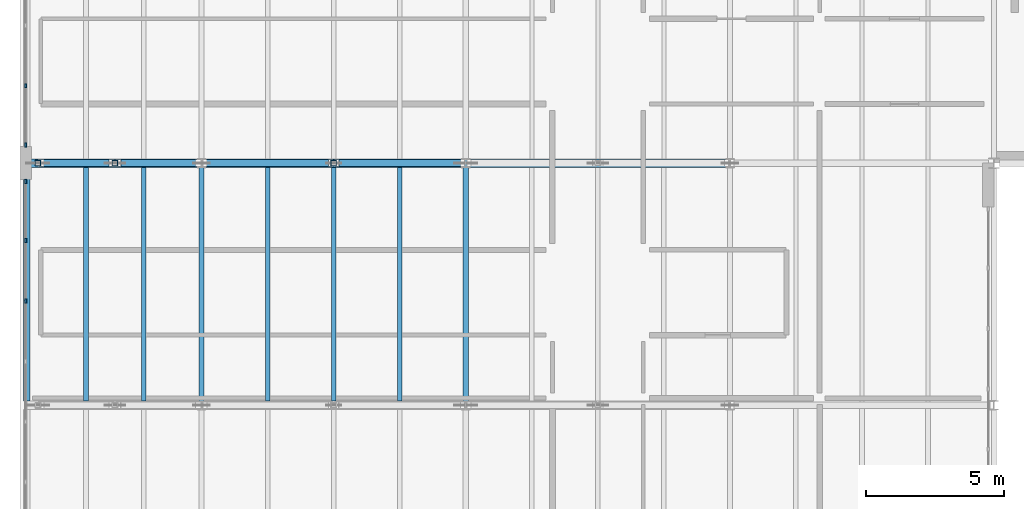
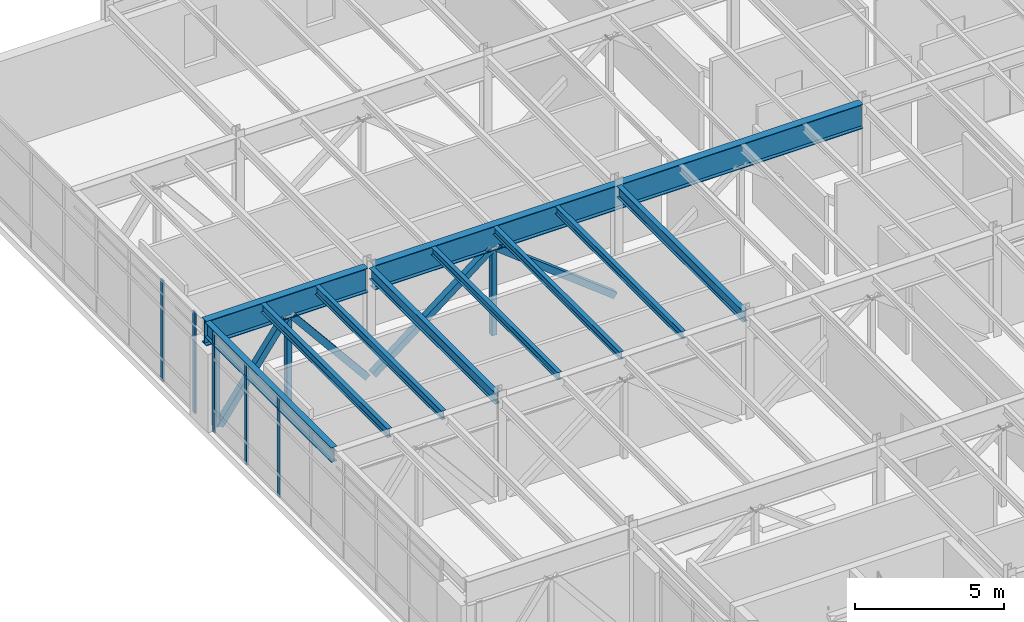
# One storey, part 31 of 88: 12 members, 10 beams, 2 elements without a shape of their own.
"""IFC4 building model written with IfcOpenShell, lengths in metres."""

import ifcopenshell
import ifcopenshell.guid

model = None  # the IFC model being written
_history = None  # IfcOwnerHistory: only IFC2X3 demands one
_inside = {}  # id of a spatial element -> (the spatial element, [elements in it])
_under = {}  # id of a project, library or spatial element -> (it, [spatial elements below it])
_declared = {}  # id of a project -> (the project, [libraries it declares])
_typed = {}  # id of a type object -> (the type object, [elements of that type])
_made_of = {}  # id of a material, layer set ... -> (it, [elements and type objects made of it])


def new_model(schema):
    """Start an empty IFC model of exactly this schema.

    Asked for "IFC4X3", IfcOpenShell would pick the latest addendum, in which some entities
    have other attributes; the version numbers below select the first issue.
    IFC2X3 requires an IfcOwnerHistory on every rooted entity: one is made here for all.
    """
    global model, _history
    if schema == "IFC4X3":
        model = ifcopenshell.file(schema_version=(4, 3, 0, 0))
    else:
        model = ifcopenshell.file(schema=schema)
    _inside.clear()
    _under.clear()
    _declared.clear()
    _typed.clear()
    _made_of.clear()
    _history = None
    if model.schema == "IFC2X3":
        org = make("IfcOrganization", Name="unknown")
        user = make(
            "IfcPersonAndOrganization",
            ThePerson=make("IfcPerson", FamilyName="unknown"),
            TheOrganization=org,
        )
        app = make(
            "IfcApplication",
            ApplicationDeveloper=org,
            Version="unknown",
            ApplicationFullName="unknown",
            ApplicationIdentifier="unknown",
        )
        _history = make(
            "IfcOwnerHistory",
            OwningUser=user,
            OwningApplication=app,
            ChangeAction="ADDED",
            CreationDate=0,
        )
    return model


def make(cls, **values):
    """One entity of the class cls with the attributes given. An attribute that is None is left unset."""
    return model.create_entity(
        cls, **{name: value for name, value in values.items() if value is not None}
    )


def rooted(cls, **values):
    """An entity with a GlobalId (a new one), such as an element, a storey or a relation."""
    return make(cls, GlobalId=ifcopenshell.guid.new(), OwnerHistory=_history, **values)


def si_unit(unit_type, name, prefix=None):
    """IfcSIUnit, for example si_unit("LENGTHUNIT", "METRE", prefix="MILLI")."""
    return make("IfcSIUnit", UnitType=unit_type, Prefix=prefix, Name=name)


def assignment(units):
    """IfcUnitAssignment: the units of a project."""
    return None if units is None else make("IfcUnitAssignment", Units=units)


def point(xyz):
    """IfcCartesianPoint."""
    return None if xyz is None else make("IfcCartesianPoint", Coordinates=xyz)


def direction(xyz):
    """IfcDirection."""
    return None if xyz is None else make("IfcDirection", DirectionRatios=xyz)


def frame(location, z_axis=None, x_axis=None):
    """IfcAxis2Placement3D, a coordinate frame: its origin and axes. An axis left out is left unset."""
    return make(
        "IfcAxis2Placement3D",
        Location=point(location),
        Axis=direction(z_axis),
        RefDirection=direction(x_axis),
    )


def frame_2d(location, x_axis=None):
    """IfcAxis2Placement2D, a coordinate frame in the plane: its origin and x axis."""
    return make(
        "IfcAxis2Placement2D", Location=point(location), RefDirection=direction(x_axis)
    )


def origin():
    """The frame at (0, 0, 0) with its axes left unset."""
    return frame((0.0, 0.0, 0.0))


def origin_2d():
    """The frame at (0, 0) in the plane with its x axis left unset."""
    return frame_2d((0.0, 0.0))


def place(relative_to, where):
    """IfcLocalPlacement: puts the frame where relative to a parent placement (None: the world)."""
    return make(
        "IfcLocalPlacement", PlacementRelTo=relative_to, RelativePlacement=where
    )


def context(
    kind, dimensions, precision=None, world=None, true_north=None, identifier=None
):
    """IfcGeometricRepresentationContext, for example the 3D "Model" context."""
    return make(
        "IfcGeometricRepresentationContext",
        ContextIdentifier=identifier,
        ContextType=kind,
        CoordinateSpaceDimension=dimensions,
        Precision=precision,
        WorldCoordinateSystem=world,
        TrueNorth=true_north,
    )


def subcontext(parent, identifier, kind, view, scale=None):
    """IfcGeometricRepresentationSubContext, for example "Body" below "Model"."""
    return make(
        "IfcGeometricRepresentationSubContext",
        ContextIdentifier=identifier,
        ContextType=kind,
        ParentContext=parent,
        TargetScale=scale,
        TargetView=view,
    )


def project(units=None, contexts=None):
    """IfcProject with its units and contexts."""
    return rooted(
        "IfcProject",
        Name="project",
        RepresentationContexts=contexts,
        UnitsInContext=assignment(units),
    )


def spatial(cls, under=None, at=None, **own):
    """A site, building, storey or space (cls), placed at a placement, below another one or the project."""
    s = rooted(cls, ObjectPlacement=at, **own)
    if under is not None:
        _under.setdefault(under.id(), (under, []))[1].append(s)
    return s


def profile(cls, at=None, kind="AREA", **sizes):
    """A parametric profile (cls). Its sizes go by their IFC names, for example OverallWidth=200.0."""
    return make(cls, ProfileType=kind, Position=at, **sizes)


def rectangle(**sizes):
    """IfcRectangleProfileDef."""
    return profile("IfcRectangleProfileDef", **sizes)


def hollow_rectangle(**sizes):
    """IfcRectangleHollowProfileDef."""
    return profile("IfcRectangleHollowProfileDef", **sizes)


def i_section(**sizes):
    """IfcIShapeProfileDef."""
    return profile("IfcIShapeProfileDef", **sizes)


def extrude(swept, where, along, depth):
    """IfcExtrudedAreaSolid: the profile swept, set in the frame where, extruded along a direction by depth."""
    return make(
        "IfcExtrudedAreaSolid",
        SweptArea=swept,
        Position=where,
        ExtrudedDirection=direction(along),
        Depth=depth,
    )


def shape(context_of_items, identifier, shape_type, items):
    """IfcShapeRepresentation: the items that make up one representation, for example the "Body"."""
    return make(
        "IfcShapeRepresentation",
        ContextOfItems=context_of_items,
        RepresentationIdentifier=identifier,
        RepresentationType=shape_type,
        Items=items,
    )


def material(Name=None, Category=None):
    """IfcMaterial."""
    return make("IfcMaterial", Name=Name, Category=Category)


def material_profile(
    of_material, cross_section, Name=None, Category=None, Priority=None
):
    """IfcMaterialProfile: a cross section and its material."""
    return make(
        "IfcMaterialProfile",
        Name=Name,
        Material=of_material,
        Profile=cross_section,
        Priority=Priority,
        Category=Category,
    )


def profile_set(profiles, Name=None, composite=None):
    """IfcMaterialProfileSet."""
    return make(
        "IfcMaterialProfileSet",
        Name=Name,
        MaterialProfiles=profiles,
        CompositeProfile=composite,
    )


def made_of(thing, what):
    """Note that an element or type object is made of a material, layer set ...; save() writes the relation."""
    if what is not None:
        _made_of.setdefault(what.id(), (what, []))[1].append(thing)
    return thing


def type_object(cls, material=None, **own):
    """A type object (cls), such as IfcWallType, which elements share."""
    return made_of(rooted(cls, **own), material)


def element(
    cls,
    number,
    at=None,
    inside=None,
    cuts=None,
    type_object=None,
    material=None,
    context=None,
    identifier="Body",
    shape_type=None,
    held_by="IfcProductDefinitionShape",
    body=None,
    shapes=None,
    **own,
):
    """One element of the class cls, such as IfcWall. Its Tag is "e" and its number.

    at: its placement. inside: the storey or other place that contains it. cuts: it is an
    opening in that element (IfcRelVoidsElement). A single representation is given by context,
    identifier, shape_type and body (its items); several are given by shapes. held_by: the class
    of the entity that holds the representations. save() writes the other relations.
    """
    e = rooted(cls, Tag="e%d" % number, ObjectPlacement=at, **own)
    if body is not None:
        shapes = [shape(context, identifier, shape_type, body)]
    if shapes is not None:
        e.Representation = make(held_by, Representations=shapes)
    if inside is not None:
        _inside.setdefault(inside.id(), (inside, []))[1].append(e)
    if cuts is not None:
        rooted(
            "IfcRelVoidsElement", RelatingBuildingElement=cuts, RelatedOpeningElement=e
        )
    if type_object is not None:
        _typed.setdefault(type_object.id(), (type_object, []))[1].append(e)
    return made_of(e, material)


def aggregate(whole, parts):
    """IfcRelAggregates: a whole, such as a stair, and the parts it consists of."""
    return rooted("IfcRelAggregates", RelatingObject=whole, RelatedObjects=parts)


def save(model, path):
    """Write the relations noted so far, then the file.

    IfcRelAggregates (storeys below a building ...), IfcRelContainedInSpatialStructure (elements
    in a storey), IfcRelDefinesByType, IfcRelAssociatesMaterial and IfcRelDeclares: one each for
    every whole, place, type object, material and project.
    """
    for whole, parts in _under.values():
        aggregate(whole, parts)
    for where, things in _inside.values():
        rooted(
            "IfcRelContainedInSpatialStructure",
            RelatedElements=things,
            RelatingStructure=where,
        )
    for kind, things in _typed.values():
        rooted("IfcRelDefinesByType", RelatedObjects=things, RelatingType=kind)
    for what, things in _made_of.values():
        rooted("IfcRelAssociatesMaterial", RelatedObjects=things, RelatingMaterial=what)
    for by, libraries in _declared.values():
        rooted("IfcRelDeclares", RelatingContext=by, RelatedDefinitions=libraries)
    model.write(path)


model = new_model("IFC4")

# Units and contexts
model_context = context("Model", 3, precision=1e-05, world=origin(), true_north=direction((0.0, 1.0)))
body_context = subcontext(model_context, "Body", "Model", "MODEL_VIEW")
ifc_project = project(units=[si_unit("LENGTHUNIT", "METRE"), si_unit("AREAUNIT", "SQUARE_METRE"), si_unit("VOLUMEUNIT", "CUBIC_METRE"), si_unit("PLANEANGLEUNIT", "RADIAN"), si_unit("MASSUNIT", "GRAM", prefix="KILO")], contexts=[model_context])

# Site, building, storey
site_placement = place(None, origin())
site = spatial("IfcSite", under=ifc_project, at=site_placement, CompositionType="ELEMENT")
building_placement = place(site_placement, origin())
building = spatial("IfcBuilding", under=site, at=building_placement, Name="Sarnbrook Museum", CompositionType="ELEMENT")
storey_placement = place(building_placement, frame((0.0, 0.0, 10.10009765625)))
storey = spatial("IfcBuildingStorey", under=building, at=storey_placement, Name="L02", CompositionType="ELEMENT", Elevation=10.10009765625)

# Beams
ifc_material_1 = material(Name="Structural Steel Grade 300PLUS (AS/NZS 3679.1, fy = 280 MPa for 17 < t <= 40 mm, 300 MPa for t <= 17 mm)", Category="steel")
ifc_material_profile_1 = material_profile(ifc_material_1, i_section(OverallWidth=0.18994140625, OverallDepth=0.45703125, WebThickness=0.009033203125, FlangeThickness=0.014404296875, FilletRadius=0.011474609375, at=origin_2d()), Name="460UB74.6")
ifc_profile_set_1 = profile_set([ifc_material_profile_1], Name="Structural Steel Grade 300PLUS (AS/NZS 3679.1, fy = 280 MPa for 17 < t <= 40 mm, 300 MPa for t <= 17 mm)")
beam_type_1 = type_object("IfcBeamType", Name="BM-UB460", PredefinedType="BEAM", material=ifc_profile_set_1)
for number, where, z_axis, x_axis, name in (
    (1, (13.60009765625, 65.763427734375, 3.991455078125), (0.0, 1.0, 0.0), (-1.0, 0.0, 0.0), "Girder 2:H-J L02"),
    (2, (23.199951171875, 65.763427734375, 3.991455078125), (0.0, 1.0, 0.0), (-1.0, 0.0, 0.0), "Girder 3:H-J L02"),
):
    element("IfcBeam", number, at=place(storey_placement, frame(where, z_axis=z_axis, x_axis=x_axis)), inside=storey, type_object=beam_type_1, Name=name, PredefinedType="BEAM", context=body_context, shape_type="SweptSolid", body=[
        extrude(i_section(OverallWidth=0.18994140625, OverallDepth=0.45703125, WebThickness=0.009033203125, FlangeThickness=0.014404296875, FilletRadius=0.011474609375, at=origin_2d()), origin(), (0.0, 0.0, 1.0), 8.47314453125),
    ])
ifc_material_profile_2 = material_profile(ifc_material_1, i_section(OverallWidth=0.22802734375, OverallDepth=0.60693359375, WebThickness=0.01123046875, FlangeThickness=0.017333984375, FilletRadius=0.013916015625, at=origin_2d()), Name="610UB113")
ifc_profile_set_2 = profile_set([ifc_material_profile_2], Name="Structural Steel Grade 300PLUS (AS/NZS 3679.1, fy = 280 MPa for 17 < t <= 40 mm, 300 MPa for t <= 17 mm)")
beam_type_2 = type_object("IfcBeamType", Name="BM-UB610", PredefinedType="BEAM", material=ifc_profile_set_2)
beam_1_placement = place(storey_placement, frame((7.25, 65.75, 3.91650390625), z_axis=(0.0, 1.0, 0.0), x_axis=(-1.0, 0.0, 0.0)))
element("IfcBeam", 3, at=beam_1_placement, inside=storey, type_object=beam_type_2, Name="Cantilever Gallery Joist L02 X=7.25", PredefinedType="BEAM", context=body_context, shape_type="SweptSolid", body=[
    extrude(i_section(OverallWidth=0.22802734375, OverallDepth=0.60693359375, WebThickness=0.01123046875, FlangeThickness=0.017333984375, FilletRadius=0.013916015625, at=origin_2d()), origin(), (0.0, 0.0, 1.0), 8.5),
])

# Members
ifc_material_2 = material(Name="Structural Steel Hollow Section Grade C350L0 (AS/NZS 1163, fy = 350 MPa)", Category="steel")
ifc_material_profile_3 = material_profile(ifc_material_2, hollow_rectangle(XDim=0.199951171875, YDim=0.199951171875, WallThickness=0.010009765625, at=origin_2d()), Name="200x200x10.0SHS")
ifc_profile_set_3 = profile_set([ifc_material_profile_3], Name="Structural Steel Hollow Section Grade C350L0 (AS/NZS 1163, fy = 350 MPa)")
member_type_1 = type_object("IfcMemberType", Name="CH-SHS200", PredefinedType="CHORD", material=ifc_profile_set_3)
for number, where, z_axis, x_axis, name in (
    (4, (18.39990234375, 74.39990234375, -0.300048828125), (0.0, 0.0, 1.0), (1.0, 0.0, 0.0), "Transfer Truss TT3 Web Post 3"),
    (5, (10.449951171875, 74.39990234375, -0.300048828125), (0.0, 0.0, 1.0), (1.0, 0.0, 0.0), "Transfer Truss TT3 Web Post 5"),
    (6, (7.64990234375, 74.39990234375, -0.300048828125), (0.0, 0.0, 1.0), (1.0, 0.0, 0.0), "Transfer Truss TT3 Web Post 6"),
):
    element("IfcMember", number, at=place(storey_placement, frame(where, z_axis=z_axis, x_axis=x_axis)), inside=storey, type_object=member_type_1, Name=name, PredefinedType="CHORD", context=body_context, shape_type="SweptSolid", body=[
        extrude(hollow_rectangle(XDim=0.199951171875, YDim=0.199951171875, WallThickness=0.010009765625, at=origin_2d()), origin(), (0.0, 0.0, 1.0), 3.5400390625),
    ])

# Curtain wall, members
ifc_material_3 = material(Name="Thermally Broken Anodised Aluminium 6063-T6", Category="aluminium")
curtain_wall_type = type_object("IfcCurtainWallType", Name="CurtainWall_GalleryRibbon", PredefinedType="NOTDEFINED", material=ifc_material_3)
curtain_wall_1_placement = place(storey_placement, origin())
curtain_wall_1 = element("IfcCurtainWall", 7, at=curtain_wall_1_placement, inside=storey, type_object=curtain_wall_type, Name="Gallery Ribbon Curtain Wall L02-8.1", PredefinedType="NOTDEFINED")
ifc_material_profile_4 = material_profile(ifc_material_3, rectangle(XDim=0.06005859375, YDim=0.159912109375, at=origin_2d()), Name="ALU MULLION 60x160")
ifc_profile_set_4 = profile_set([ifc_material_profile_4], Name="Thermally Broken Anodised Aluminium 6063-T6")
member_type_2 = type_object("IfcMemberType", Name="CW_Mullion_150x65", PredefinedType="MULLION", material=ifc_profile_set_4)
member_1_placement = place(storey_placement, frame((7.2099609375, 77.21435546875, 0.0), z_axis=(0.0, 0.0, 1.0), x_axis=(1.0, 0.0, 0.0)))
member_1 = element("IfcMember", 8, at=member_1_placement, type_object=member_type_2, Name="Gallery Ribbon Curtain Wall L02-8.1 Mullion 7", PredefinedType="MULLION", context=body_context, shape_type="SweptSolid", body=[
    extrude(rectangle(XDim=0.06005859375, YDim=0.159912109375, at=origin_2d()), origin(), (0.0, 0.0, 1.0), 4.159912109375),
])
member_2_placement = place(storey_placement, frame((7.2099609375, 75.06005859375, 0.0), z_axis=(0.0, 0.0, 1.0), x_axis=(1.0, 0.0, 0.0)))
member_2 = element("IfcMember", 9, at=member_2_placement, type_object=member_type_2, Name="Gallery Ribbon Curtain Wall L02-8.1 Mullion 8", PredefinedType="MULLION", context=body_context, shape_type="SweptSolid", body=[
    extrude(rectangle(XDim=0.06005859375, YDim=0.159912109375, at=origin_2d()), origin(), (0.0, 0.0, 1.0), 4.159912109375),
])
aggregate(curtain_wall_1, [member_1, member_2])

curtain_wall_2_placement = place(storey_placement, origin())
curtain_wall_2 = element("IfcCurtainWall", 10, at=curtain_wall_2_placement, inside=storey, type_object=curtain_wall_type, Name="Gallery Ribbon Curtain Wall L02-8.2", PredefinedType="NOTDEFINED")
member_3_placement = place(storey_placement, frame((7.2099609375, 73.739990234375, 0.0), z_axis=(0.0, 0.0, 1.0), x_axis=(1.0, 0.0, 0.0)))
member_3 = element("IfcMember", 11, at=member_3_placement, type_object=member_type_2, Name="Gallery Ribbon Curtain Wall L02-8.2 Mullion 1", PredefinedType="MULLION", context=body_context, shape_type="SweptSolid", body=[
    extrude(rectangle(XDim=0.06005859375, YDim=0.159912109375, at=origin_2d()), origin(), (0.0, 0.0, 1.0), 4.159912109375),
])
member_4_placement = place(storey_placement, frame((7.2099609375, 71.585693359375, 0.0), z_axis=(0.0, 0.0, 1.0), x_axis=(1.0, 0.0, 0.0)))
member_4 = element("IfcMember", 12, at=member_4_placement, type_object=member_type_2, Name="Gallery Ribbon Curtain Wall L02-8.2 Mullion 2", PredefinedType="MULLION", context=body_context, shape_type="SweptSolid", body=[
    extrude(rectangle(XDim=0.06005859375, YDim=0.159912109375, at=origin_2d()), origin(), (0.0, 0.0, 1.0), 4.159912109375),
])
member_5_placement = place(storey_placement, frame((7.2099609375, 69.391357421875, 0.0), z_axis=(0.0, 0.0, 1.0), x_axis=(1.0, 0.0, 0.0)))
member_5 = element("IfcMember", 13, at=member_5_placement, type_object=member_type_2, Name="Gallery Ribbon Curtain Wall L02-8.2 Mullion 3", PredefinedType="MULLION", context=body_context, shape_type="SweptSolid", body=[
    extrude(rectangle(XDim=0.06005859375, YDim=0.159912109375, at=origin_2d()), origin(), (0.0, 0.0, 1.0), 4.159912109375),
])
aggregate(curtain_wall_2, [member_3, member_4, member_5])

# Beams
ifc_material_profile_5 = material_profile(ifc_material_1, i_section(OverallWidth=0.166015625, OverallDepth=0.306884765625, WebThickness=0.006591796875, FlangeThickness=0.01171875, FilletRadius=0.011474609375, at=origin_2d()), Name="310UB46.2")
ifc_profile_set_5 = profile_set([ifc_material_profile_5], Name="Structural Steel Grade 300PLUS (AS/NZS 3679.1, fy = 280 MPa for 17 < t <= 40 mm, 300 MPa for t <= 17 mm)")
beam_type_3 = type_object("IfcBeamType", Name="JS-UB310H", PredefinedType="JOIST", material=ifc_profile_set_5)
for number, where, z_axis, x_axis, name in (
    (14, (16.0, 65.75, 4.06640625), (0.0, 1.0, 0.0), (-1.0, 0.0, 0.0), "Composite Floor Joist 2H-1 L02"),
    (15, (18.39990234375, 65.75, 4.06640625), (0.0, 1.0, 0.0), (-1.0, 0.0, 0.0), "Composite Floor Joist 2H-2 L02"),
    (16, (20.800048828125, 65.75, 4.06640625), (0.0, 1.0, 0.0), (-1.0, 0.0, 0.0), "Composite Floor Joist 2H-3 L02"),
):
    element("IfcBeam", number, at=place(storey_placement, frame(where, z_axis=z_axis, x_axis=x_axis)), inside=storey, type_object=beam_type_3, Name=name, PredefinedType="JOIST", context=body_context, shape_type="SweptSolid", body=[
        extrude(i_section(OverallWidth=0.166015625, OverallDepth=0.306884765625, WebThickness=0.006591796875, FlangeThickness=0.01171875, FilletRadius=0.011474609375, at=origin_2d()), origin(), (0.0, 0.0, 1.0), 8.5),
    ])
ifc_material_profile_6 = material_profile(ifc_material_1, i_section(OverallWidth=0.1708984375, OverallDepth=0.35595703125, WebThickness=0.00732421875, FlangeThickness=0.011474609375, FilletRadius=0.011474609375, at=origin_2d()), Name="360UB50.7")
ifc_profile_set_6 = profile_set([ifc_material_profile_6], Name="Structural Steel Grade 300PLUS (AS/NZS 3679.1, fy = 280 MPa for 17 < t <= 40 mm, 300 MPa for t <= 17 mm)")
beam_type_4 = type_object("IfcBeamType", Name="JS-UB360", PredefinedType="JOIST", material=ifc_profile_set_6)
for number, where, z_axis, x_axis, name in (
    (17, (9.39990234375, 65.75, 4.0419921875), (0.0, 1.0, 0.0), (-1.0, 0.0, 0.0), "Cantilever Gallery Joist L02 X=9.4"),
    (18, (11.5, 65.75, 4.0419921875), (0.0, 1.0, 0.0), (-1.0, 0.0, 0.0), "Cantilever Gallery Joist L02 X=11.5"),
):
    element("IfcBeam", number, at=place(storey_placement, frame(where, z_axis=z_axis, x_axis=x_axis)), inside=storey, type_object=beam_type_4, Name=name, PredefinedType="JOIST", context=body_context, shape_type="SweptSolid", body=[
        extrude(i_section(OverallWidth=0.1708984375, OverallDepth=0.35595703125, WebThickness=0.00732421875, FlangeThickness=0.011474609375, FilletRadius=0.011474609375, at=origin_2d()), origin(), (0.0, 0.0, 1.0), 8.5),
    ])

# Members
ifc_material_profile_7 = material_profile(ifc_material_2, hollow_rectangle(XDim=0.25, YDim=0.25, WallThickness=0.012451171875, at=origin_2d()), Name="250x250x12.5SHS")
ifc_profile_set_7 = profile_set([ifc_material_profile_7], Name="Structural Steel Hollow Section Grade C350L0 (AS/NZS 1163, fy = 350 MPa)")
member_type_3 = type_object("IfcMemberType", Name="MB-SHS250", PredefinedType="BRACE", material=ifc_profile_set_7)
for number, where, z_axis, x_axis, name in (
    (19, (23.080078125, 74.39990234375, -0.300048828125), (-0.789912082427, 0.0, 0.613220108962), (0.0, -1.0, 0.0), "Transfer Truss TT3 Web Diagonal 3"),
    (20, (18.280029296875, 74.39990234375, 3.239990234375), (-0.789912082427, 0.0, -0.613220108962), (0.0, -1.0, 0.0), "Transfer Truss TT3 Web Diagonal 4"),
):
    element("IfcMember", number, at=place(storey_placement, frame(where, z_axis=z_axis, x_axis=x_axis)), inside=storey, type_object=member_type_3, Name=name, PredefinedType="BRACE", context=body_context, shape_type="SweptSolid", body=[
        extrude(hollow_rectangle(XDim=0.25, YDim=0.25, WallThickness=0.012451171875, at=origin_2d()), origin(), (0.0, 0.0, 1.0), 5.77294921875),
    ])
member_6_placement = place(storey_placement, frame((13.47998046875, 74.39990234375, -0.300048828125), z_axis=(-0.635002969329, 0.0, 0.772509695048), x_axis=(0.0, -1.0, 0.0)))
element("IfcMember", 21, at=member_6_placement, inside=storey, type_object=member_type_3, Name="Transfer Truss TT3 Web Diagonal 5", PredefinedType="BRACE", context=body_context, shape_type="SweptSolid", body=[
    extrude(hollow_rectangle(XDim=0.25, YDim=0.25, WallThickness=0.012451171875, at=origin_2d()), origin(), (0.0, 0.0, 1.0), 4.58251953125),
])
member_7_placement = place(storey_placement, frame((10.330078125, 74.39990234375, 3.239990234375), z_axis=(-0.585996453635, 0.0, -0.810313616032), x_axis=(0.0, -1.0, 0.0)))
element("IfcMember", 22, at=member_7_placement, inside=storey, type_object=member_type_3, Name="Transfer Truss TT3 Web Diagonal 6", PredefinedType="BRACE", context=body_context, shape_type="SweptSolid", body=[
    extrude(hollow_rectangle(XDim=0.25, YDim=0.25, WallThickness=0.012451171875, at=origin_2d()), origin(), (0.0, 0.0, 1.0), 4.36865234375),
])

# Beams
ifc_material_4 = material(Name="Structural Steel Grade 350L0 (AS/NZS 3678, fy = 340 MPa for 20 < t <= 40 mm)", Category="steel")
ifc_material_profile_8 = material_profile(ifc_material_4, i_section(OverallWidth=0.300048828125, OverallDepth=1.0, WebThickness=0.01611328125, FlangeThickness=0.02490234375, at=origin_2d()), Name="1000WB215")
ifc_profile_set_8 = profile_set([ifc_material_profile_8], Name="Structural Steel Grade 350L0 (AS/NZS 3678, fy = 340 MPa for 20 < t <= 40 mm)")
beam_type_5 = type_object("IfcBeamType", Name="TT-CHORD", PredefinedType="BEAM", material=ifc_profile_set_8)
beam_2_placement = place(storey_placement, frame((32.679931640625, 74.39990234375, 3.719970703125), z_axis=(-1.0, 0.0, 0.0), x_axis=(0.0, -1.0, 0.0)))
element("IfcBeam", 23, at=beam_2_placement, inside=storey, type_object=beam_type_5, Name="Cantilever Transfer Truss TT3 Top Back-Span Chord", PredefinedType="BEAM", context=body_context, shape_type="SweptSolid", body=[
    extrude(i_section(OverallWidth=0.300048828125, OverallDepth=1.0, WebThickness=0.01611328125, FlangeThickness=0.02490234375, at=origin_2d()), origin(), (0.0, 0.0, 1.0), 18.9599609375),
])
beam_3_placement = place(storey_placement, frame((13.47998046875, 74.39990234375, 3.719970703125), z_axis=(-1.0, 0.0, 0.0), x_axis=(0.0, -1.0, 0.0)))
element("IfcBeam", 24, at=beam_3_placement, inside=storey, type_object=beam_type_5, Name="Cantilever Transfer Truss TT3 Top Chord", PredefinedType="BEAM", context=body_context, shape_type="SweptSolid", body=[
    extrude(i_section(OverallWidth=0.300048828125, OverallDepth=1.0, WebThickness=0.01611328125, FlangeThickness=0.02490234375, at=origin_2d()), origin(), (0.0, 0.0, 1.0), 6.280029296875),
])

save(model, "model.ifc")
